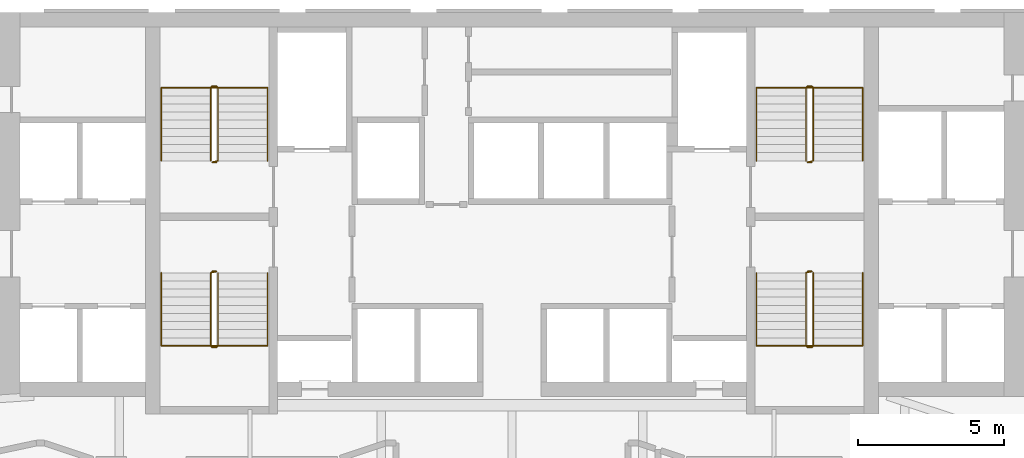
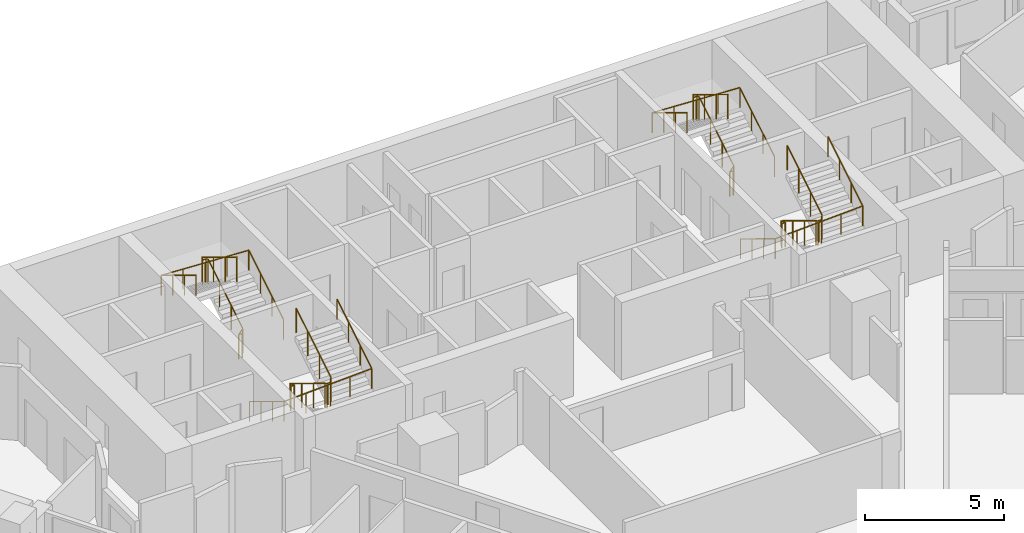
# One storey, part 10 of 10: 8 railings.
"""IFC4 building model written with IfcOpenShell, lengths in metres."""

from ifc_helpers import new_model, si_unit, direction, frame, origin, origin_2d, place, context, subcontext, project, spatial, circle, extrude, material, type_object, element, save


model = new_model("IFC4")

# Units and contexts
model_context = context("Model", 3, precision=1e-05, world=origin(), true_north=direction((0.0, 1.0)))
body_context = subcontext(model_context, "Body", "Model", "MODEL_VIEW")
ifc_project = project(units=[si_unit("LENGTHUNIT", "METRE"), si_unit("AREAUNIT", "SQUARE_METRE"), si_unit("VOLUMEUNIT", "CUBIC_METRE"), si_unit("PLANEANGLEUNIT", "RADIAN"), si_unit("MASSUNIT", "GRAM", prefix="KILO")], contexts=[model_context])

# Site, building, storey
site_placement = place(None, origin())
site = spatial("IfcSite", under=ifc_project, at=site_placement, CompositionType="ELEMENT")
building_placement = place(site_placement, origin())
building = spatial("IfcBuilding", under=site, at=building_placement, Name="Calabash Gate Tower", CompositionType="ELEMENT")
storey_placement = place(building_placement, frame((0.0, 0.0, 63.0)))
storey = spatial("IfcBuildingStorey", under=building, at=storey_placement, Name="L11", CompositionType="ELEMENT", Elevation=63.0)

# Railings
ifc_material_1 = material(Name="Black powder-coated steel balusters", Category="steel")
railing_type_1 = type_object("IfcRailingType", Name="Stair guard RL1100", PredefinedType="GUARDRAIL", material=ifc_material_1)
railing_1_placement = place(storey_placement, frame((-10.14990234375, 13.902587890625, 0.0)))
element("IfcRailing", 1, at=railing_1_placement, inside=storey, type_object=railing_type_1, Name="L11 ST1 stair guard 1", PredefinedType="GUARDRAIL", context=body_context, shape_type="SweptSolid", body=[
    extrude(circle(Radius=0.02392578125, at=origin_2d()), frame((0.0, 0.0, 1.076171875), z_axis=(-1.0, 0.0, 0.0), x_axis=(0.0, -1.0, 0.0)), (0.0, 0.0, 1.0), 0.150146484375),
    extrude(circle(Radius=0.02392578125, at=origin_2d()), frame((-0.150146484375, 0.0, 1.076171875), z_axis=(0.748514443355, 0.187357095101, 0.636100186295), x_axis=(-0.242814311512, 0.970072785993, 0.0)), (0.0, 0.0, 1.0), 0.26708984375),
    extrude(circle(Radius=0.02392578125, at=origin_2d()), frame((0.0498046875, 0.050048828125, 1.24609375), z_axis=(0.0, 0.853956361026, 0.520344629514), x_axis=(-1.0, 0.0, 0.0)), (0.0, 0.0, 1.0), 2.9404296875),
    extrude(circle(Radius=0.02392578125, at=origin_2d()), frame((0.0498046875, 2.56103515625, 2.77587890625), z_axis=(-0.705375805398, 0.708833529934, 0.0), x_axis=(-0.708833529934, -0.705375805398, 0.0)), (0.0, 0.0, 1.0), 0.070556640625),
    extrude(circle(Radius=0.02392578125, at=origin_2d()), frame((0.0, 2.611083984375, 2.77587890625), z_axis=(-1.0, 0.0, 0.0), x_axis=(0.0, -1.0, 0.0)), (0.0, 0.0, 1.0), 0.150146484375),
    extrude(circle(Radius=0.02392578125, at=origin_2d()), frame((-0.150146484375, 2.611083984375, 2.77587890625), z_axis=(-0.271562723297, -0.271562723297, 0.923313259209), x_axis=(0.707106781187, -0.707106781187, 0.0)), (0.0, 0.0, 1.0), 0.184326171875),
    extrude(circle(Radius=0.02392578125, at=origin_2d()), frame((-0.2001953125, 2.56103515625, 2.9462890625), z_axis=(0.0, -0.853993254676, 0.52028407718), x_axis=(1.0, 0.0, 0.0)), (0.0, 0.0, 1.0), 2.940185546875),
    extrude(circle(Radius=0.02099609375, at=origin_2d()), origin(), (0.0, 0.0, 1.0), 1.052001953125),
    extrude(circle(Radius=0.02099609375, at=origin_2d()), frame((-0.150146484375, 0.0, 0.0)), (0.0, 0.0, 1.0), 1.052001953125),
    extrude(circle(Radius=0.02099609375, at=origin_2d()), frame((0.0498046875, 0.050048828125, 0.169921875)), (0.0, 0.0, 1.0), 1.052001953125),
    extrude(circle(Radius=0.02099609375, at=origin_2d()), frame((0.0498046875, 0.886962890625, 0.679931640625)), (0.0, 0.0, 1.0), 1.052001953125),
    extrude(circle(Radius=0.02099609375, at=origin_2d()), frame((0.0498046875, 1.72412109375, 1.18994140625)), (0.0, 0.0, 1.0), 1.052001953125),
    extrude(circle(Radius=0.02099609375, at=origin_2d()), frame((0.0498046875, 2.56103515625, 1.699951171875)), (0.0, 0.0, 1.0), 1.052001953125),
    extrude(circle(Radius=0.02099609375, at=origin_2d()), frame((0.0, 2.611083984375, 1.699951171875)), (0.0, 0.0, 1.0), 1.052001953125),
    extrude(circle(Radius=0.02099609375, at=origin_2d()), frame((-0.150146484375, 2.611083984375, 1.699951171875)), (0.0, 0.0, 1.0), 1.052001953125),
    extrude(circle(Radius=0.02099609375, at=origin_2d()), frame((-0.2001953125, 2.56103515625, 1.8701171875)), (0.0, 0.0, 1.0), 1.052001953125),
    extrude(circle(Radius=0.02099609375, at=origin_2d()), frame((-0.2001953125, 1.72412109375, 2.380126953125)), (0.0, 0.0, 1.0), 1.052001953125),
    extrude(circle(Radius=0.02099609375, at=origin_2d()), frame((-0.2001953125, 0.886962890625, 2.889892578125)), (0.0, 0.0, 1.0), 1.052001953125),
    extrude(circle(Radius=0.02099609375, at=origin_2d()), frame((-0.2001953125, 0.050048828125, 3.39990234375)), (0.0, 0.0, 1.0), 1.052001953125),
])
railing_2_placement = place(storey_placement, frame((-10.300048828125, 10.152587890625, 0.0)))
element("IfcRailing", 2, at=railing_2_placement, inside=storey, type_object=railing_type_1, Name="L11 ST2 stair guard 1", PredefinedType="GUARDRAIL", context=body_context, shape_type="SweptSolid", body=[
    extrude(circle(Radius=0.02392578125, at=origin_2d()), frame((0.0, 0.0, 1.076171875), z_axis=(1.0, 0.0, 0.0), x_axis=(0.0, 1.0, 0.0)), (0.0, 0.0, 1.0), 0.150146484375),
    extrude(circle(Radius=0.02392578125, at=origin_2d()), frame((0.150146484375, 0.0, 1.076171875), z_axis=(-0.748915913269, -0.187228978317, 0.635665214189), x_axis=(0.242535625036, -0.970142500145, 0.0)), (0.0, 0.0, 1.0), 0.267333984375),
    extrude(circle(Radius=0.02392578125, at=origin_2d()), frame((-0.050048828125, -0.050048828125, 1.24609375), z_axis=(0.0, -0.853956361026, 0.520344629514), x_axis=(1.0, 0.0, 0.0)), (0.0, 0.0, 1.0), 2.9404296875),
    extrude(circle(Radius=0.02392578125, at=origin_2d()), frame((-0.050048828125, -2.56103515625, 2.77587890625), z_axis=(0.707106781187, -0.707106781187, 0.0), x_axis=(0.707106781187, 0.707106781187, 0.0)), (0.0, 0.0, 1.0), 0.07080078125),
    extrude(circle(Radius=0.02392578125, at=origin_2d()), frame((0.0, -2.611083984375, 2.77587890625), z_axis=(1.0, 0.0, 0.0), x_axis=(0.0, 1.0, 0.0)), (0.0, 0.0, 1.0), 0.150146484375),
    extrude(circle(Radius=0.02392578125, at=origin_2d()), frame((0.150146484375, -2.611083984375, 2.77587890625), z_axis=(0.270335057127, 0.271660228976, 0.923644778517), x_axis=(-0.708833529934, 0.705375805398, 0.0)), (0.0, 0.0, 1.0), 0.184326171875),
    extrude(circle(Radius=0.02392578125, at=origin_2d()), frame((0.199951171875, -2.56103515625, 2.9462890625), z_axis=(0.0, 0.853993254676, 0.52028407718), x_axis=(-1.0, 0.0, 0.0)), (0.0, 0.0, 1.0), 2.940185546875),
    extrude(circle(Radius=0.02099609375, at=origin_2d()), origin(), (0.0, 0.0, 1.0), 1.052001953125),
    extrude(circle(Radius=0.02099609375, at=origin_2d()), frame((0.150146484375, 0.0, 0.0)), (0.0, 0.0, 1.0), 1.052001953125),
    extrude(circle(Radius=0.02099609375, at=origin_2d()), frame((-0.050048828125, -0.050048828125, 0.169921875)), (0.0, 0.0, 1.0), 1.052001953125),
    extrude(circle(Radius=0.02099609375, at=origin_2d()), frame((-0.050048828125, -0.886962890625, 0.679931640625)), (0.0, 0.0, 1.0), 1.052001953125),
    extrude(circle(Radius=0.02099609375, at=origin_2d()), frame((-0.050048828125, -1.72412109375, 1.18994140625)), (0.0, 0.0, 1.0), 1.052001953125),
    extrude(circle(Radius=0.02099609375, at=origin_2d()), frame((-0.050048828125, -2.56103515625, 1.699951171875)), (0.0, 0.0, 1.0), 1.052001953125),
    extrude(circle(Radius=0.02099609375, at=origin_2d()), frame((0.0, -2.611083984375, 1.699951171875)), (0.0, 0.0, 1.0), 1.052001953125),
    extrude(circle(Radius=0.02099609375, at=origin_2d()), frame((0.150146484375, -2.611083984375, 1.699951171875)), (0.0, 0.0, 1.0), 1.052001953125),
    extrude(circle(Radius=0.02099609375, at=origin_2d()), frame((0.199951171875, -2.56103515625, 1.8701171875)), (0.0, 0.0, 1.0), 1.052001953125),
    extrude(circle(Radius=0.02099609375, at=origin_2d()), frame((0.199951171875, -1.72412109375, 2.380126953125)), (0.0, 0.0, 1.0), 1.052001953125),
    extrude(circle(Radius=0.02099609375, at=origin_2d()), frame((0.199951171875, -0.886962890625, 2.889892578125)), (0.0, 0.0, 1.0), 1.052001953125),
    extrude(circle(Radius=0.02099609375, at=origin_2d()), frame((0.199951171875, -0.050048828125, 3.39990234375)), (0.0, 0.0, 1.0), 1.052001953125),
])
railing_3_placement = place(storey_placement, frame((10.300048828125, 13.902587890625, 0.0)))
element("IfcRailing", 3, at=railing_3_placement, inside=storey, type_object=railing_type_1, Name="L11 ST3 stair guard 1", PredefinedType="GUARDRAIL", context=body_context, shape_type="SweptSolid", body=[
    extrude(circle(Radius=0.02392578125, at=origin_2d()), frame((0.0, 0.0, 1.076171875), z_axis=(-1.0, 0.0, 0.0), x_axis=(0.0, -1.0, 0.0)), (0.0, 0.0, 1.0), 0.150146484375),
    extrude(circle(Radius=0.02392578125, at=origin_2d()), frame((-0.150146484375, 0.0, 1.076171875), z_axis=(0.748915913269, 0.187228978317, 0.635665214189), x_axis=(-0.242535625036, 0.970142500145, 0.0)), (0.0, 0.0, 1.0), 0.267333984375),
    extrude(circle(Radius=0.02392578125, at=origin_2d()), frame((0.050048828125, 0.050048828125, 1.24609375), z_axis=(0.0, 0.853956361026, 0.520344629514), x_axis=(-1.0, 0.0, 0.0)), (0.0, 0.0, 1.0), 2.9404296875),
    extrude(circle(Radius=0.02392578125, at=origin_2d()), frame((0.050048828125, 2.56103515625, 2.77587890625), z_axis=(-0.707106781187, 0.707106781187, 0.0), x_axis=(-0.707106781187, -0.707106781187, 0.0)), (0.0, 0.0, 1.0), 0.07080078125),
    extrude(circle(Radius=0.02392578125, at=origin_2d()), frame((0.0, 2.611083984375, 2.77587890625), z_axis=(-1.0, 0.0, 0.0), x_axis=(0.0, -1.0, 0.0)), (0.0, 0.0, 1.0), 0.150146484375),
    extrude(circle(Radius=0.02392578125, at=origin_2d()), frame((-0.150146484375, 2.611083984375, 2.77587890625), z_axis=(-0.270335057127, -0.271660228976, 0.923644778517), x_axis=(0.708833529934, -0.705375805398, 0.0)), (0.0, 0.0, 1.0), 0.184326171875),
    extrude(circle(Radius=0.02392578125, at=origin_2d()), frame((-0.199951171875, 2.56103515625, 2.9462890625), z_axis=(0.0, -0.853993254676, 0.52028407718), x_axis=(1.0, 0.0, 0.0)), (0.0, 0.0, 1.0), 2.940185546875),
    extrude(circle(Radius=0.02099609375, at=origin_2d()), origin(), (0.0, 0.0, 1.0), 1.052001953125),
    extrude(circle(Radius=0.02099609375, at=origin_2d()), frame((-0.150146484375, 0.0, 0.0)), (0.0, 0.0, 1.0), 1.052001953125),
    extrude(circle(Radius=0.02099609375, at=origin_2d()), frame((0.050048828125, 0.050048828125, 0.169921875)), (0.0, 0.0, 1.0), 1.052001953125),
    extrude(circle(Radius=0.02099609375, at=origin_2d()), frame((0.050048828125, 0.886962890625, 0.679931640625)), (0.0, 0.0, 1.0), 1.052001953125),
    extrude(circle(Radius=0.02099609375, at=origin_2d()), frame((0.050048828125, 1.72412109375, 1.18994140625)), (0.0, 0.0, 1.0), 1.052001953125),
    extrude(circle(Radius=0.02099609375, at=origin_2d()), frame((0.050048828125, 2.56103515625, 1.699951171875)), (0.0, 0.0, 1.0), 1.052001953125),
    extrude(circle(Radius=0.02099609375, at=origin_2d()), frame((0.0, 2.611083984375, 1.699951171875)), (0.0, 0.0, 1.0), 1.052001953125),
    extrude(circle(Radius=0.02099609375, at=origin_2d()), frame((-0.150146484375, 2.611083984375, 1.699951171875)), (0.0, 0.0, 1.0), 1.052001953125),
    extrude(circle(Radius=0.02099609375, at=origin_2d()), frame((-0.199951171875, 2.56103515625, 1.8701171875)), (0.0, 0.0, 1.0), 1.052001953125),
    extrude(circle(Radius=0.02099609375, at=origin_2d()), frame((-0.199951171875, 1.72412109375, 2.380126953125)), (0.0, 0.0, 1.0), 1.052001953125),
    extrude(circle(Radius=0.02099609375, at=origin_2d()), frame((-0.199951171875, 0.886962890625, 2.889892578125)), (0.0, 0.0, 1.0), 1.052001953125),
    extrude(circle(Radius=0.02099609375, at=origin_2d()), frame((-0.199951171875, 0.050048828125, 3.39990234375)), (0.0, 0.0, 1.0), 1.052001953125),
])
railing_4_placement = place(storey_placement, frame((10.14990234375, 10.152587890625, 0.0)))
element("IfcRailing", 4, at=railing_4_placement, inside=storey, type_object=railing_type_1, Name="L11 ST4 stair guard 1", PredefinedType="GUARDRAIL", context=body_context, shape_type="SweptSolid", body=[
    extrude(circle(Radius=0.02392578125, at=origin_2d()), frame((0.0, 0.0, 1.076171875), z_axis=(1.0, 0.0, 0.0), x_axis=(0.0, 1.0, 0.0)), (0.0, 0.0, 1.0), 0.150146484375),
    extrude(circle(Radius=0.02392578125, at=origin_2d()), frame((0.150146484375, 0.0, 1.076171875), z_axis=(-0.748514443355, -0.187357095101, 0.636100186295), x_axis=(0.242814311512, -0.970072785993, 0.0)), (0.0, 0.0, 1.0), 0.26708984375),
    extrude(circle(Radius=0.02392578125, at=origin_2d()), frame((-0.0498046875, -0.050048828125, 1.24609375), z_axis=(0.0, -0.853956361026, 0.520344629514), x_axis=(1.0, 0.0, 0.0)), (0.0, 0.0, 1.0), 2.9404296875),
    extrude(circle(Radius=0.02392578125, at=origin_2d()), frame((-0.0498046875, -2.56103515625, 2.77587890625), z_axis=(0.705375805398, -0.708833529934, 0.0), x_axis=(0.708833529934, 0.705375805398, 0.0)), (0.0, 0.0, 1.0), 0.070556640625),
    extrude(circle(Radius=0.02392578125, at=origin_2d()), frame((0.0, -2.611083984375, 2.77587890625), z_axis=(1.0, 0.0, 0.0), x_axis=(0.0, 1.0, 0.0)), (0.0, 0.0, 1.0), 0.150146484375),
    extrude(circle(Radius=0.02392578125, at=origin_2d()), frame((0.150146484375, -2.611083984375, 2.77587890625), z_axis=(0.271562723297, 0.271562723297, 0.923313259209), x_axis=(-0.707106781187, 0.707106781187, 0.0)), (0.0, 0.0, 1.0), 0.184326171875),
    extrude(circle(Radius=0.02392578125, at=origin_2d()), frame((0.2001953125, -2.56103515625, 2.9462890625), z_axis=(0.0, 0.853993254676, 0.52028407718), x_axis=(-1.0, 0.0, 0.0)), (0.0, 0.0, 1.0), 2.940185546875),
    extrude(circle(Radius=0.02099609375, at=origin_2d()), origin(), (0.0, 0.0, 1.0), 1.052001953125),
    extrude(circle(Radius=0.02099609375, at=origin_2d()), frame((0.150146484375, 0.0, 0.0)), (0.0, 0.0, 1.0), 1.052001953125),
    extrude(circle(Radius=0.02099609375, at=origin_2d()), frame((-0.0498046875, -0.050048828125, 0.169921875)), (0.0, 0.0, 1.0), 1.052001953125),
    extrude(circle(Radius=0.02099609375, at=origin_2d()), frame((-0.0498046875, -0.886962890625, 0.679931640625)), (0.0, 0.0, 1.0), 1.052001953125),
    extrude(circle(Radius=0.02099609375, at=origin_2d()), frame((-0.0498046875, -1.72412109375, 1.18994140625)), (0.0, 0.0, 1.0), 1.052001953125),
    extrude(circle(Radius=0.02099609375, at=origin_2d()), frame((-0.0498046875, -2.56103515625, 1.699951171875)), (0.0, 0.0, 1.0), 1.052001953125),
    extrude(circle(Radius=0.02099609375, at=origin_2d()), frame((0.0, -2.611083984375, 1.699951171875)), (0.0, 0.0, 1.0), 1.052001953125),
    extrude(circle(Radius=0.02099609375, at=origin_2d()), frame((0.150146484375, -2.611083984375, 1.699951171875)), (0.0, 0.0, 1.0), 1.052001953125),
    extrude(circle(Radius=0.02099609375, at=origin_2d()), frame((0.2001953125, -2.56103515625, 1.8701171875)), (0.0, 0.0, 1.0), 1.052001953125),
    extrude(circle(Radius=0.02099609375, at=origin_2d()), frame((0.2001953125, -1.72412109375, 2.380126953125)), (0.0, 0.0, 1.0), 1.052001953125),
    extrude(circle(Radius=0.02099609375, at=origin_2d()), frame((0.2001953125, -0.886962890625, 2.889892578125)), (0.0, 0.0, 1.0), 1.052001953125),
    extrude(circle(Radius=0.02099609375, at=origin_2d()), frame((0.2001953125, -0.050048828125, 3.39990234375)), (0.0, 0.0, 1.0), 1.052001953125),
])
ifc_material_2 = material(Name="Black powder-coated steel tube 48 mm", Category="steel")
railing_type_2 = type_object("IfcRailingType", Name="Stair handrail RL900", PredefinedType="HANDRAIL", material=ifc_material_2)
railing_5_placement = place(storey_placement, frame((-8.39990234375, 13.95263671875, 0.169921875)))
element("IfcRailing", 5, at=railing_5_placement, inside=storey, type_object=railing_type_2, Name="L11 ST1 stair handrail 1", PredefinedType="HANDRAIL", context=body_context, shape_type="SweptSolid", body=[
    extrude(circle(Radius=0.02392578125, at=origin_2d()), frame((0.0, 0.0, 0.8759765625), z_axis=(0.0, 0.853956361026, 0.520344629514), x_axis=(-1.0, 0.0, 0.0)), (0.0, 0.0, 1.0), 2.9404296875),
    extrude(circle(Radius=0.02392578125, at=origin_2d()), frame((0.0, 2.510986328125, 2.40576171875), z_axis=(-0.99891510456, 0.0, 0.046568378562), x_axis=(0.0, -1.0, 0.0)), (0.0, 0.0, 1.0), 3.654052734375),
    extrude(circle(Radius=0.02392578125, at=origin_2d()), frame((-3.650146484375, 2.510986328125, 2.576171875), z_axis=(0.0, -0.853993254676, 0.52028407718), x_axis=(1.0, 0.0, 0.0)), (0.0, 0.0, 1.0), 2.940185546875),
    extrude(circle(Radius=0.02099609375, at=origin_2d()), origin(), (0.0, 0.0, 1.0), 0.851806640625),
    extrude(circle(Radius=0.02099609375, at=origin_2d()), frame((0.0, 0.8369140625, 0.510009765625)), (0.0, 0.0, 1.0), 0.851806640625),
    extrude(circle(Radius=0.02099609375, at=origin_2d()), frame((0.0, 1.674072265625, 1.02001953125)), (0.0, 0.0, 1.0), 0.851806640625),
    extrude(circle(Radius=0.02099609375, at=origin_2d()), frame((0.0, 2.510986328125, 1.530029296875)), (0.0, 0.0, 1.0), 0.851806640625),
    extrude(circle(Radius=0.02099609375, at=origin_2d()), frame((-0.91259765625, 2.510986328125, 1.572509765625)), (0.0, 0.0, 1.0), 0.851806640625),
    extrude(circle(Radius=0.02099609375, at=origin_2d()), frame((-1.8251953125, 2.510986328125, 1.615234375)), (0.0, 0.0, 1.0), 0.851806640625),
    extrude(circle(Radius=0.02099609375, at=origin_2d()), frame((-2.737548828125, 2.510986328125, 1.65771484375)), (0.0, 0.0, 1.0), 0.851806640625),
    extrude(circle(Radius=0.02099609375, at=origin_2d()), frame((-3.650146484375, 2.510986328125, 1.7001953125)), (0.0, 0.0, 1.0), 0.851806640625),
    extrude(circle(Radius=0.02099609375, at=origin_2d()), frame((-3.650146484375, 1.674072265625, 2.210205078125)), (0.0, 0.0, 1.0), 0.851806640625),
    extrude(circle(Radius=0.02099609375, at=origin_2d()), frame((-3.650146484375, 0.8369140625, 2.719970703125)), (0.0, 0.0, 1.0), 0.851806640625),
    extrude(circle(Radius=0.02099609375, at=origin_2d()), frame((-3.650146484375, 0.0, 3.22998046875)), (0.0, 0.0, 1.0), 0.851806640625),
])
railing_6_placement = place(storey_placement, frame((-12.050048828125, 10.1025390625, 0.169921875)))
element("IfcRailing", 6, at=railing_6_placement, inside=storey, type_object=railing_type_2, Name="L11 ST2 stair handrail 1", PredefinedType="HANDRAIL", context=body_context, shape_type="SweptSolid", body=[
    extrude(circle(Radius=0.02392578125, at=origin_2d()), frame((0.0, 0.0, 0.8759765625), z_axis=(0.0, -0.853956361026, 0.520344629514), x_axis=(1.0, 0.0, 0.0)), (0.0, 0.0, 1.0), 2.9404296875),
    extrude(circle(Radius=0.02392578125, at=origin_2d()), frame((0.0, -2.510986328125, 2.40576171875), z_axis=(0.99891510456, 0.0, 0.046568378562), x_axis=(0.0, 1.0, 0.0)), (0.0, 0.0, 1.0), 3.654052734375),
    extrude(circle(Radius=0.02392578125, at=origin_2d()), frame((3.650146484375, -2.510986328125, 2.576171875), z_axis=(0.0, 0.853993254676, 0.52028407718), x_axis=(-1.0, 0.0, 0.0)), (0.0, 0.0, 1.0), 2.940185546875),
    extrude(circle(Radius=0.02099609375, at=origin_2d()), origin(), (0.0, 0.0, 1.0), 0.851806640625),
    extrude(circle(Radius=0.02099609375, at=origin_2d()), frame((0.0, -0.8369140625, 0.510009765625)), (0.0, 0.0, 1.0), 0.851806640625),
    extrude(circle(Radius=0.02099609375, at=origin_2d()), frame((0.0, -1.674072265625, 1.02001953125)), (0.0, 0.0, 1.0), 0.851806640625),
    extrude(circle(Radius=0.02099609375, at=origin_2d()), frame((0.0, -2.510986328125, 1.530029296875)), (0.0, 0.0, 1.0), 0.851806640625),
    extrude(circle(Radius=0.02099609375, at=origin_2d()), frame((0.91259765625, -2.510986328125, 1.572509765625)), (0.0, 0.0, 1.0), 0.851806640625),
    extrude(circle(Radius=0.02099609375, at=origin_2d()), frame((1.8251953125, -2.510986328125, 1.615234375)), (0.0, 0.0, 1.0), 0.851806640625),
    extrude(circle(Radius=0.02099609375, at=origin_2d()), frame((2.737548828125, -2.510986328125, 1.65771484375)), (0.0, 0.0, 1.0), 0.851806640625),
    extrude(circle(Radius=0.02099609375, at=origin_2d()), frame((3.650146484375, -2.510986328125, 1.7001953125)), (0.0, 0.0, 1.0), 0.851806640625),
    extrude(circle(Radius=0.02099609375, at=origin_2d()), frame((3.650146484375, -1.674072265625, 2.210205078125)), (0.0, 0.0, 1.0), 0.851806640625),
    extrude(circle(Radius=0.02099609375, at=origin_2d()), frame((3.650146484375, -0.8369140625, 2.719970703125)), (0.0, 0.0, 1.0), 0.851806640625),
    extrude(circle(Radius=0.02099609375, at=origin_2d()), frame((3.650146484375, 0.0, 3.22998046875)), (0.0, 0.0, 1.0), 0.851806640625),
])
railing_7_placement = place(storey_placement, frame((12.050048828125, 13.95263671875, 0.169921875)))
element("IfcRailing", 7, at=railing_7_placement, inside=storey, type_object=railing_type_2, Name="L11 ST3 stair handrail 1", PredefinedType="HANDRAIL", context=body_context, shape_type="SweptSolid", body=[
    extrude(circle(Radius=0.02392578125, at=origin_2d()), frame((0.0, 0.0, 0.8759765625), z_axis=(0.0, 0.853956361026, 0.520344629514), x_axis=(-1.0, 0.0, 0.0)), (0.0, 0.0, 1.0), 2.9404296875),
    extrude(circle(Radius=0.02392578125, at=origin_2d()), frame((0.0, 2.510986328125, 2.40576171875), z_axis=(-0.99891510456, 0.0, 0.046568378562), x_axis=(0.0, -1.0, 0.0)), (0.0, 0.0, 1.0), 3.654052734375),
    extrude(circle(Radius=0.02392578125, at=origin_2d()), frame((-3.650146484375, 2.510986328125, 2.576171875), z_axis=(0.0, -0.853993254676, 0.52028407718), x_axis=(1.0, 0.0, 0.0)), (0.0, 0.0, 1.0), 2.940185546875),
    extrude(circle(Radius=0.02099609375, at=origin_2d()), origin(), (0.0, 0.0, 1.0), 0.851806640625),
    extrude(circle(Radius=0.02099609375, at=origin_2d()), frame((0.0, 0.8369140625, 0.510009765625)), (0.0, 0.0, 1.0), 0.851806640625),
    extrude(circle(Radius=0.02099609375, at=origin_2d()), frame((0.0, 1.674072265625, 1.02001953125)), (0.0, 0.0, 1.0), 0.851806640625),
    extrude(circle(Radius=0.02099609375, at=origin_2d()), frame((0.0, 2.510986328125, 1.530029296875)), (0.0, 0.0, 1.0), 0.851806640625),
    extrude(circle(Radius=0.02099609375, at=origin_2d()), frame((-0.91259765625, 2.510986328125, 1.572509765625)), (0.0, 0.0, 1.0), 0.851806640625),
    extrude(circle(Radius=0.02099609375, at=origin_2d()), frame((-1.8251953125, 2.510986328125, 1.615234375)), (0.0, 0.0, 1.0), 0.851806640625),
    extrude(circle(Radius=0.02099609375, at=origin_2d()), frame((-2.737548828125, 2.510986328125, 1.65771484375)), (0.0, 0.0, 1.0), 0.851806640625),
    extrude(circle(Radius=0.02099609375, at=origin_2d()), frame((-3.650146484375, 2.510986328125, 1.7001953125)), (0.0, 0.0, 1.0), 0.851806640625),
    extrude(circle(Radius=0.02099609375, at=origin_2d()), frame((-3.650146484375, 1.674072265625, 2.210205078125)), (0.0, 0.0, 1.0), 0.851806640625),
    extrude(circle(Radius=0.02099609375, at=origin_2d()), frame((-3.650146484375, 0.8369140625, 2.719970703125)), (0.0, 0.0, 1.0), 0.851806640625),
    extrude(circle(Radius=0.02099609375, at=origin_2d()), frame((-3.650146484375, 0.0, 3.22998046875)), (0.0, 0.0, 1.0), 0.851806640625),
])
railing_8_placement = place(storey_placement, frame((8.39990234375, 10.1025390625, 0.169921875)))
element("IfcRailing", 8, at=railing_8_placement, inside=storey, type_object=railing_type_2, Name="L11 ST4 stair handrail 1", PredefinedType="HANDRAIL", context=body_context, shape_type="SweptSolid", body=[
    extrude(circle(Radius=0.02392578125, at=origin_2d()), frame((0.0, 0.0, 0.8759765625), z_axis=(0.0, -0.853956361026, 0.520344629514), x_axis=(1.0, 0.0, 0.0)), (0.0, 0.0, 1.0), 2.9404296875),
    extrude(circle(Radius=0.02392578125, at=origin_2d()), frame((0.0, -2.510986328125, 2.40576171875), z_axis=(0.99891510456, 0.0, 0.046568378562), x_axis=(0.0, 1.0, 0.0)), (0.0, 0.0, 1.0), 3.654052734375),
    extrude(circle(Radius=0.02392578125, at=origin_2d()), frame((3.650146484375, -2.510986328125, 2.576171875), z_axis=(0.0, 0.853993254676, 0.52028407718), x_axis=(-1.0, 0.0, 0.0)), (0.0, 0.0, 1.0), 2.940185546875),
    extrude(circle(Radius=0.02099609375, at=origin_2d()), origin(), (0.0, 0.0, 1.0), 0.851806640625),
    extrude(circle(Radius=0.02099609375, at=origin_2d()), frame((0.0, -0.8369140625, 0.510009765625)), (0.0, 0.0, 1.0), 0.851806640625),
    extrude(circle(Radius=0.02099609375, at=origin_2d()), frame((0.0, -1.674072265625, 1.02001953125)), (0.0, 0.0, 1.0), 0.851806640625),
    extrude(circle(Radius=0.02099609375, at=origin_2d()), frame((0.0, -2.510986328125, 1.530029296875)), (0.0, 0.0, 1.0), 0.851806640625),
    extrude(circle(Radius=0.02099609375, at=origin_2d()), frame((0.91259765625, -2.510986328125, 1.572509765625)), (0.0, 0.0, 1.0), 0.851806640625),
    extrude(circle(Radius=0.02099609375, at=origin_2d()), frame((1.8251953125, -2.510986328125, 1.615234375)), (0.0, 0.0, 1.0), 0.851806640625),
    extrude(circle(Radius=0.02099609375, at=origin_2d()), frame((2.737548828125, -2.510986328125, 1.65771484375)), (0.0, 0.0, 1.0), 0.851806640625),
    extrude(circle(Radius=0.02099609375, at=origin_2d()), frame((3.650146484375, -2.510986328125, 1.7001953125)), (0.0, 0.0, 1.0), 0.851806640625),
    extrude(circle(Radius=0.02099609375, at=origin_2d()), frame((3.650146484375, -1.674072265625, 2.210205078125)), (0.0, 0.0, 1.0), 0.851806640625),
    extrude(circle(Radius=0.02099609375, at=origin_2d()), frame((3.650146484375, -0.8369140625, 2.719970703125)), (0.0, 0.0, 1.0), 0.851806640625),
    extrude(circle(Radius=0.02099609375, at=origin_2d()), frame((3.650146484375, 0.0, 3.22998046875)), (0.0, 0.0, 1.0), 0.851806640625),
])

save(model, "model.ifc")
